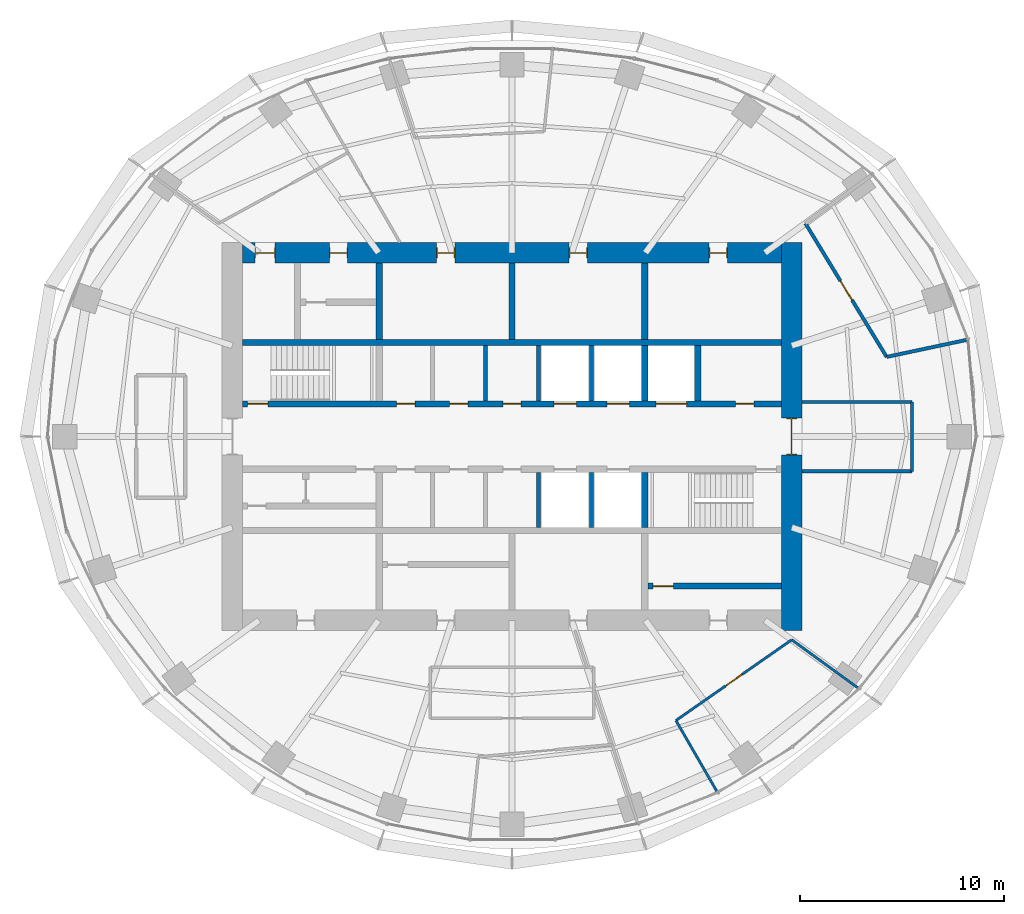
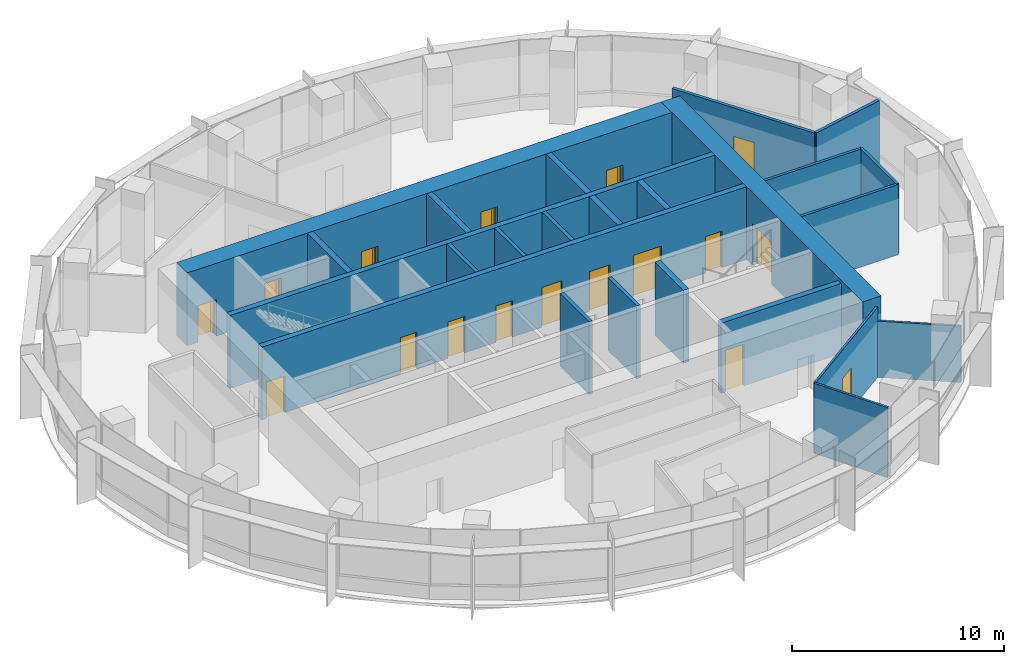
# One storey, part 10 of 13: 24 walls, 17 doors, 17 openings.
"""IFC4 building model written with IfcOpenShell, lengths in metres."""

from ifc_helpers import new_model, si_unit, direction, frame, frame_2d, origin, place, context, subcontext, project, spatial, rectangle, extrude, material, layer, layer_set, type_object, element, fill, save


model = new_model("IFC4")

# Units and contexts
model_context = context("Model", 3, precision=1e-05, world=origin(), true_north=direction((0.0, 1.0)))
body_context = subcontext(model_context, "Body", "Model", "MODEL_VIEW")
ifc_project = project(units=[si_unit("LENGTHUNIT", "METRE"), si_unit("AREAUNIT", "SQUARE_METRE"), si_unit("VOLUMEUNIT", "CUBIC_METRE"), si_unit("PLANEANGLEUNIT", "RADIAN"), si_unit("MASSUNIT", "GRAM", prefix="KILO")], contexts=[model_context])

# Site, building, storey
site_placement = place(None, origin())
site = spatial("IfcSite", under=ifc_project, at=site_placement, CompositionType="ELEMENT")
building_placement = place(site_placement, origin())
building = spatial("IfcBuilding", under=site, at=building_placement, Name="Marramba Exchange Tower", CompositionType="ELEMENT")
storey_placement = place(building_placement, frame((0.0, 0.0, 260.199951171875)))
storey = spatial("IfcBuildingStorey", under=building, at=storey_placement, Name="L63", CompositionType="ELEMENT", Elevation=260.199951171875)

# Wall
ifc_material_1 = material(Name="Plasterboard on staggered double steel studs, acoustic insulation", Category="steel")
ifc_layer_1 = layer(ifc_material_1, 0.169921875)
ifc_layer_set_1 = layer_set([ifc_layer_1], Name="Acoustic partition 170")
wall_type_1 = type_object("IfcWallType", Name="Acoustic partition 170", PredefinedType="PARTITIONING", material=ifc_layer_set_1)
wall_1_placement = place(storey_placement, frame((18.351318359375, 3.900634765625, 0.0), z_axis=(0.0, 0.0, 1.0), x_axis=(0.978140543132, 0.207944891454, 0.0)))
element("IfcWall", 1, at=wall_1_placement, inside=storey, type_object=wall_type_1, Name="Acoustic partition L63 16", PredefinedType="PARTITIONING", context=body_context, shape_type="SweptSolid", body=[
    extrude(rectangle(XDim=4.0, YDim=0.169921875, at=frame_2d((2.0, 0.0))), origin(), (0.0, 0.0, 1.0), 4.0400390625),
])

# Wall, opening, door
wall_2_placement = place(storey_placement, frame((14.37255859375, 10.4423828125, 0.0), z_axis=(0.0, 0.0, 1.0), x_axis=(0.519644460078, -0.854382604639, 0.0)))
wall_2 = element("IfcWall", 2, at=wall_2_placement, inside=storey, type_object=wall_type_1, Name="Acoustic partition L63 17", PredefinedType="PARTITIONING", context=body_context, shape_type="SweptSolid", body=[
    extrude(rectangle(XDim=7.65673828125, YDim=0.169921875, at=frame_2d((3.828369140625, 0.0))), origin(), (0.0, 0.0, 1.0), 4.0400390625),
])
opening_1_placement = place(wall_2_placement, frame((3.302978515625, 0.0, 0.0)))
opening_1 = element("IfcOpeningElement", 3, at=opening_1_placement, cuts=wall_2, Name="Opening D15", PredefinedType="OPENING", context=body_context, shape_type="SweptSolid", body=[
    extrude(rectangle(XDim=1.10009765625, YDim=2.39990234375, at=frame_2d((0.550048828125, 1.199951171875))), frame((0.0, 0.094970703125, 0.0), z_axis=(0.0, -1.0, 0.0), x_axis=(1.0, 0.0, 0.0)), (0.0, 0.0, 1.0), 0.18994140625),
])
ifc_material_2 = material(Name="Timber door", Category="wood")
door_type_1 = type_object("IfcDoorType", Name="Glazed meeting room door 1100x2400", OperationType="SINGLE_SWING_LEFT", PredefinedType="DOOR", material=ifc_material_2)
door_1_placement = place(opening_1_placement, origin())
door_1 = element("IfcDoor", 4, at=door_1_placement, inside=storey, type_object=door_type_1, Name="D15 Boardroom L63", OperationType="SINGLE_SWING_LEFT", OverallHeight=2.39990234375, OverallWidth=1.10009765625, PredefinedType="DOOR", context=body_context, shape_type="SweptSolid", body=[
    extrude(rectangle(XDim=1.10009765625, YDim=2.39990234375, at=frame_2d((0.550048828125, 1.199951171875))), frame((0.0, 0.02490234375, 0.0), z_axis=(0.0, -1.0, 0.0), x_axis=(1.0, 0.0, 0.0)), (0.0, 0.0, 1.0), 0.050048828125),
])
fill(opening_1, door_1)

# Walls
ifc_material_3 = material(Name="Concrete N50", Category="concrete")
ifc_layer_2 = layer(ifc_material_3, 0.199951171875)
ifc_layer_set_2 = layer_set([ifc_layer_2], Name="Core shaft wall 200")
wall_type_2 = type_object("IfcWallType", Name="Core shaft wall 200", PredefinedType="SHEAR", material=ifc_layer_set_2)
for number, where, z_axis, x_axis, name in (
    (5, (-1.300048828125, 1.75, 0.0), (0.0, 0.0, 1.0), (0.0, 1.0, 0.0), "Core wall SHN2 L63"),
    (6, (1.300048828125, 1.75, 0.0), (0.0, 0.0, 1.0), (0.0, 1.0, 0.0), "Core wall SHN3 L63"),
    (7, (3.89990234375, 1.75, 0.0), (0.0, 0.0, 1.0), (0.0, 1.0, 0.0), "Core wall SHN4 L63"),
    (8, (1.300048828125, -1.75, 0.0), (0.0, 0.0, 1.0), (0.0, -1.0, 0.0), "Core wall SHS3 L63"),
    (9, (3.89990234375, -1.75, 0.0), (0.0, 0.0, 1.0), (0.0, -1.0, 0.0), "Core wall SHS4 L63"),
):
    element("IfcWall", number, at=place(storey_placement, frame(where, z_axis=z_axis, x_axis=x_axis)), inside=storey, type_object=wall_type_2, Name=name, PredefinedType="SHEAR", context=body_context, shape_type="SweptSolid", body=[
        extrude(rectangle(XDim=2.699951171875, YDim=0.199951171875, at=frame_2d((1.35009765625, 0.0))), origin(), (0.0, 0.0, 1.0), 4.199951171875),
    ])

# Wall, openings, doors
ifc_layer_3 = layer(ifc_material_3, 1.0)
ifc_layer_set_3 = layer_set([ifc_layer_3], Name="Core wall 1000")
wall_type_3 = type_object("IfcWallType", Name="Core wall 1000", PredefinedType="SHEAR", material=ifc_layer_set_3)
wall_3_placement = place(storey_placement, frame((13.199951171875, 9.0, 0.0), z_axis=(0.0, 0.0, 1.0), x_axis=(-1.0, 0.0, 0.0)))
wall_3 = element("IfcWall", 10, at=wall_3_placement, inside=storey, type_object=wall_type_3, Name="Core wall N L63", PredefinedType="SHEAR", context=body_context, shape_type="SweptSolid", body=[
    extrude(rectangle(XDim=26.39990234375, YDim=1.0, at=frame_2d((13.199951171875, 0.0))), origin(), (0.0, 0.0, 1.0), 4.199951171875),
])
opening_2_placement = place(wall_3_placement, frame((2.64990234375, 0.0, 0.0)))
opening_2 = element("IfcOpeningElement", 11, at=opening_2_placement, cuts=wall_3, Name="Opening D5", PredefinedType="OPENING", context=body_context, shape_type="SweptSolid", body=[
    extrude(rectangle(XDim=0.89990234375, YDim=2.10009765625, at=frame_2d((0.449951171875, 1.050048828125))), frame((0.0, 0.510009765625, 0.0), z_axis=(0.0, -1.0, 0.0), x_axis=(1.0, 0.0, 0.0)), (0.0, 0.0, 1.0), 1.02001953125),
])
opening_3_placement = place(wall_3_placement, frame((9.5, 0.0, 0.0)))
opening_3 = element("IfcOpeningElement", 12, at=opening_3_placement, cuts=wall_3, Name="Opening D3", PredefinedType="OPENING", context=body_context, shape_type="SweptSolid", body=[
    extrude(rectangle(XDim=0.89990234375, YDim=2.10009765625, at=frame_2d((0.449951171875, 1.050048828125))), frame((0.0, 0.510009765625, 0.0), z_axis=(0.0, -1.0, 0.0), x_axis=(1.0, 0.0, 0.0)), (0.0, 0.0, 1.0), 1.02001953125),
])
opening_4_placement = place(wall_3_placement, frame((16.0, 0.0, 0.0)))
opening_4 = element("IfcOpeningElement", 13, at=opening_4_placement, cuts=wall_3, Name="Opening D3", PredefinedType="OPENING", context=body_context, shape_type="SweptSolid", body=[
    extrude(rectangle(XDim=0.89990234375, YDim=2.10009765625, at=frame_2d((0.449951171875, 1.050048828125))), frame((0.0, 0.510009765625, 0.0), z_axis=(0.0, -1.0, 0.0), x_axis=(1.0, 0.0, 0.0)), (0.0, 0.0, 1.0), 1.02001953125),
])
opening_5_placement = place(wall_3_placement, frame((21.25, 0.0, 0.0)))
opening_5 = element("IfcOpeningElement", 14, at=opening_5_placement, cuts=wall_3, Name="Opening D5", PredefinedType="OPENING", context=body_context, shape_type="SweptSolid", body=[
    extrude(rectangle(XDim=0.89990234375, YDim=2.10009765625, at=frame_2d((0.449951171875, 1.050048828125))), frame((0.0, 0.510009765625, 0.0), z_axis=(0.0, -1.0, 0.0), x_axis=(1.0, 0.0, 0.0)), (0.0, 0.0, 1.0), 1.02001953125),
])
opening_6_placement = place(wall_3_placement, frame((24.800048828125, 0.0, 0.0)))
opening_6 = element("IfcOpeningElement", 15, at=opening_6_placement, cuts=wall_3, Name="Opening D4", PredefinedType="OPENING", context=body_context, shape_type="SweptSolid", body=[
    extrude(rectangle(XDim=1.0, YDim=2.10009765625, at=frame_2d((0.5, 1.050048828125))), frame((0.0, 0.510009765625, 0.0), z_axis=(0.0, -1.0, 0.0), x_axis=(1.0, 0.0, 0.0)), (0.0, 0.0, 1.0), 1.02001953125),
])
ifc_material_4 = material(Name="Steel-framed door", Category="steel")
door_type_2 = type_object("IfcDoorType", Name="Accessible toilet door 1000x2100", OperationType="SINGLE_SWING_LEFT", PredefinedType="DOOR", material=ifc_material_4)
door_2_placement = place(opening_6_placement, origin())
door_2 = element("IfcDoor", 16, at=door_2_placement, inside=storey, type_object=door_type_2, Name="D4 awc L63", OperationType="SINGLE_SWING_RIGHT", OverallHeight=2.10009765625, OverallWidth=1.0, PredefinedType="DOOR", context=body_context, shape_type="SweptSolid", body=[
    extrude(rectangle(XDim=0.919921875, YDim=2.06005859375, at=frame_2d((0.5, 1.030029296875))), frame((0.0, 0.02490234375, 0.0), z_axis=(0.0, -1.0, 0.0), x_axis=(1.0, 0.0, 0.0)), (0.0, 0.0, 1.0), 0.050048828125),
    extrude(rectangle(XDim=0.04, YDim=2.10009765625, at=frame_2d((0.02001953125, 1.050048828125))), frame((0.0, 0.25, 0.0), z_axis=(0.0, -1.0, 0.0), x_axis=(1.0, 0.0, 0.0)), (0.0, 0.0, 1.0), 0.5),
    extrude(rectangle(XDim=0.04, YDim=2.10009765625, at=frame_2d((0.97998046875, 1.050048828125))), frame((0.0, 0.25, 0.0), z_axis=(0.0, -1.0, 0.0), x_axis=(1.0, 0.0, 0.0)), (0.0, 0.0, 1.0), 0.5),
    extrude(rectangle(XDim=0.919921875, YDim=0.04, at=frame_2d((0.5, 2.080078125))), frame((0.0, 0.25, 0.0), z_axis=(0.0, -1.0, 0.0), x_axis=(1.0, 0.0, 0.0)), (0.0, 0.0, 1.0), 0.5),
])
fill(opening_6, door_2)
door_type_3 = type_object("IfcDoorType", Name="Service door 900x2100", OperationType="SINGLE_SWING_LEFT", PredefinedType="DOOR", material=ifc_material_4)
door_3_placement = place(opening_2_placement, origin())
door_3 = element("IfcDoor", 17, at=door_3_placement, inside=storey, type_object=door_type_3, Name="D5 comms L63", OperationType="SINGLE_SWING_LEFT", OverallHeight=2.10009765625, OverallWidth=0.89990234375, PredefinedType="DOOR", context=body_context, shape_type="SweptSolid", body=[
    extrude(rectangle(XDim=0.81982421875, YDim=2.06005859375, at=frame_2d((0.449951171875, 1.030029296875))), frame((0.0, 0.02490234375, 0.0), z_axis=(0.0, -1.0, 0.0), x_axis=(1.0, 0.0, 0.0)), (0.0, 0.0, 1.0), 0.050048828125),
    extrude(rectangle(XDim=0.04, YDim=2.10009765625, at=frame_2d((0.02001953125, 1.050048828125))), frame((0.0, 0.25, 0.0), z_axis=(0.0, -1.0, 0.0), x_axis=(1.0, 0.0, 0.0)), (0.0, 0.0, 1.0), 0.5),
    extrude(rectangle(XDim=0.04, YDim=2.10009765625, at=frame_2d((0.8798828125, 1.050048828125))), frame((0.0, 0.25, 0.0), z_axis=(0.0, -1.0, 0.0), x_axis=(1.0, 0.0, 0.0)), (0.0, 0.0, 1.0), 0.5),
    extrude(rectangle(XDim=0.81982421875, YDim=0.04, at=frame_2d((0.449951171875, 2.080078125))), frame((0.0, 0.25, 0.0), z_axis=(0.0, -1.0, 0.0), x_axis=(1.0, 0.0, 0.0)), (0.0, 0.0, 1.0), 0.5),
])
fill(opening_2, door_3)
door_4_placement = place(opening_5_placement, origin())
door_4 = element("IfcDoor", 18, at=door_4_placement, inside=storey, type_object=door_type_3, Name="D5 cleaner L63", OperationType="SINGLE_SWING_RIGHT", OverallHeight=2.10009765625, OverallWidth=0.89990234375, PredefinedType="DOOR", context=body_context, shape_type="SweptSolid", body=[
    extrude(rectangle(XDim=0.81982421875, YDim=2.06005859375, at=frame_2d((0.449951171875, 1.030029296875))), frame((0.0, 0.02490234375, 0.0), z_axis=(0.0, -1.0, 0.0), x_axis=(1.0, 0.0, 0.0)), (0.0, 0.0, 1.0), 0.050048828125),
    extrude(rectangle(XDim=0.04, YDim=2.10009765625, at=frame_2d((0.02001953125, 1.050048828125))), frame((0.0, 0.25, 0.0), z_axis=(0.0, -1.0, 0.0), x_axis=(1.0, 0.0, 0.0)), (0.0, 0.0, 1.0), 0.5),
    extrude(rectangle(XDim=0.04, YDim=2.10009765625, at=frame_2d((0.8798828125, 1.050048828125))), frame((0.0, 0.25, 0.0), z_axis=(0.0, -1.0, 0.0), x_axis=(1.0, 0.0, 0.0)), (0.0, 0.0, 1.0), 0.5),
    extrude(rectangle(XDim=0.81982421875, YDim=0.04, at=frame_2d((0.449951171875, 2.080078125))), frame((0.0, 0.25, 0.0), z_axis=(0.0, -1.0, 0.0), x_axis=(1.0, 0.0, 0.0)), (0.0, 0.0, 1.0), 0.5),
])
fill(opening_5, door_4)
door_type_4 = type_object("IfcDoorType", Name="Toilet door 900x2100", OperationType="SINGLE_SWING_LEFT", PredefinedType="DOOR", material=ifc_material_4)
door_5_placement = place(opening_3_placement, origin())
door_5 = element("IfcDoor", 19, at=door_5_placement, inside=storey, type_object=door_type_4, Name="D3 wc-f L63", OperationType="SINGLE_SWING_RIGHT", OverallHeight=2.10009765625, OverallWidth=0.89990234375, PredefinedType="DOOR", context=body_context, shape_type="SweptSolid", body=[
    extrude(rectangle(XDim=0.81982421875, YDim=2.06005859375, at=frame_2d((0.449951171875, 1.030029296875))), frame((0.0, 0.02490234375, 0.0), z_axis=(0.0, -1.0, 0.0), x_axis=(1.0, 0.0, 0.0)), (0.0, 0.0, 1.0), 0.050048828125),
    extrude(rectangle(XDim=0.04, YDim=2.10009765625, at=frame_2d((0.02001953125, 1.050048828125))), frame((0.0, 0.25, 0.0), z_axis=(0.0, -1.0, 0.0), x_axis=(1.0, 0.0, 0.0)), (0.0, 0.0, 1.0), 0.5),
    extrude(rectangle(XDim=0.04, YDim=2.10009765625, at=frame_2d((0.8798828125, 1.050048828125))), frame((0.0, 0.25, 0.0), z_axis=(0.0, -1.0, 0.0), x_axis=(1.0, 0.0, 0.0)), (0.0, 0.0, 1.0), 0.5),
    extrude(rectangle(XDim=0.81982421875, YDim=0.04, at=frame_2d((0.449951171875, 2.080078125))), frame((0.0, 0.25, 0.0), z_axis=(0.0, -1.0, 0.0), x_axis=(1.0, 0.0, 0.0)), (0.0, 0.0, 1.0), 0.5),
])
fill(opening_3, door_5)
door_6_placement = place(opening_4_placement, origin())
door_6 = element("IfcDoor", 20, at=door_6_placement, inside=storey, type_object=door_type_4, Name="D3 wc-m L63", OperationType="SINGLE_SWING_RIGHT", OverallHeight=2.10009765625, OverallWidth=0.89990234375, PredefinedType="DOOR", context=body_context, shape_type="SweptSolid", body=[
    extrude(rectangle(XDim=0.81982421875, YDim=2.06005859375, at=frame_2d((0.449951171875, 1.030029296875))), frame((0.0, 0.02490234375, 0.0), z_axis=(0.0, -1.0, 0.0), x_axis=(1.0, 0.0, 0.0)), (0.0, 0.0, 1.0), 0.050048828125),
    extrude(rectangle(XDim=0.04, YDim=2.10009765625, at=frame_2d((0.02001953125, 1.050048828125))), frame((0.0, 0.25, 0.0), z_axis=(0.0, -1.0, 0.0), x_axis=(1.0, 0.0, 0.0)), (0.0, 0.0, 1.0), 0.5),
    extrude(rectangle(XDim=0.04, YDim=2.10009765625, at=frame_2d((0.8798828125, 1.050048828125))), frame((0.0, 0.25, 0.0), z_axis=(0.0, -1.0, 0.0), x_axis=(1.0, 0.0, 0.0)), (0.0, 0.0, 1.0), 0.5),
    extrude(rectangle(XDim=0.81982421875, YDim=0.04, at=frame_2d((0.449951171875, 2.080078125))), frame((0.0, 0.25, 0.0), z_axis=(0.0, -1.0, 0.0), x_axis=(1.0, 0.0, 0.0)), (0.0, 0.0, 1.0), 0.5),
])
fill(opening_4, door_6)

# Wall, opening, door
wall_4_placement = place(storey_placement, frame((13.699951171875, -9.5, 0.0), z_axis=(0.0, 0.0, 1.0), x_axis=(0.0, 1.0, 0.0)))
wall_4 = element("IfcWall", 21, at=wall_4_placement, inside=storey, type_object=wall_type_3, Name="Core wall E L63", PredefinedType="SHEAR", context=body_context, shape_type="SweptSolid", body=[
    extrude(rectangle(XDim=19.0, YDim=1.0, at=frame_2d((9.5, 0.0))), origin(), (0.0, 0.0, 1.0), 4.199951171875),
])
opening_7_placement = place(wall_4_placement, frame((8.60009765625, 0.0, 0.0)))
opening_7 = element("IfcOpeningElement", 22, at=opening_7_placement, cuts=wall_4, Name="Opening D1", PredefinedType="OPENING", context=body_context, shape_type="SweptSolid", body=[
    extrude(rectangle(XDim=1.800048828125, YDim=2.39990234375, at=frame_2d((0.89990234375, 1.199951171875))), frame((0.0, 0.510009765625, 0.0), z_axis=(0.0, -1.0, 0.0), x_axis=(1.0, 0.0, 0.0)), (0.0, 0.0, 1.0), 1.02001953125),
])
door_type_5 = type_object("IfcDoorType", Name="Lobby exit door 1800x2400", OperationType="DOUBLE_DOOR_SINGLE_SWING", PredefinedType="DOOR", material=ifc_material_4)
door_7_placement = place(opening_7_placement, frame((1.800048828125, 0.0, 0.0), z_axis=(0.0, 0.0, 1.0), x_axis=(-1.0, 0.0, 0.0)))
door_7 = element("IfcDoor", 23, at=door_7_placement, inside=storey, type_object=door_type_5, Name="D1 lobby exit east L63", OperationType="DOUBLE_DOOR_SINGLE_SWING", OverallHeight=2.39990234375, OverallWidth=1.800048828125, PredefinedType="DOOR", context=body_context, shape_type="SweptSolid", body=[
    extrude(rectangle(XDim=1.719970703125, YDim=2.35986328125, at=frame_2d((0.900146484375, 1.179931640625))), frame((0.0, 0.025146484375, 0.0), z_axis=(0.0, -1.0, 0.0), x_axis=(1.0, 0.0, 0.0)), (0.0, 0.0, 1.0), 0.050048828125),
    extrude(rectangle(XDim=0.04, YDim=2.39990234375, at=frame_2d((1.780029296875, 1.199951171875))), frame((0.0, 0.25, 0.0), z_axis=(0.0, -1.0, 0.0), x_axis=(1.0, 0.0, 0.0)), (0.0, 0.0, 1.0), 0.5),
    extrude(rectangle(XDim=0.04, YDim=2.39990234375, at=frame_2d((0.02001953125, 1.199951171875))), frame((0.0, 0.25, 0.0), z_axis=(0.0, -1.0, 0.0), x_axis=(1.0, 0.0, 0.0)), (0.0, 0.0, 1.0), 0.5),
    extrude(rectangle(XDim=1.719970703125, YDim=0.04, at=frame_2d((0.900146484375, 2.3798828125))), frame((0.0, 0.25, 0.0), z_axis=(0.0, -1.0, 0.0), x_axis=(1.0, 0.0, 0.0)), (0.0, 0.0, 1.0), 0.5),
])
fill(opening_7, door_7)

# Wall, openings, doors
ifc_layer_4 = layer(ifc_material_3, 0.300048828125)
ifc_layer_set_4 = layer_set([ifc_layer_4], Name="Core wall 300")
wall_type_4 = type_object("IfcWallType", Name="Core wall 300", PredefinedType="SHEAR", material=ifc_layer_set_4)
wall_5_placement = place(storey_placement, frame((-13.199951171875, 1.60009765625, 0.0), z_axis=(0.0, 0.0, 1.0), x_axis=(1.0, 0.0, 0.0)))
wall_5 = element("IfcWall", 24, at=wall_5_placement, inside=storey, type_object=wall_type_4, Name="Core wall LN L63", PredefinedType="SHEAR", context=body_context, shape_type="SweptSolid", body=[
    extrude(rectangle(XDim=26.39990234375, YDim=0.300048828125, at=frame_2d((13.199951171875, 0.0))), origin(), (0.0, 0.0, 1.0), 4.199951171875),
])
opening_8_placement = place(wall_5_placement, frame((0.25, 0.0, 0.0)))
opening_8 = element("IfcOpeningElement", 25, at=opening_8_placement, cuts=wall_5, Name="Opening D2", PredefinedType="OPENING", context=body_context, shape_type="SweptSolid", body=[
    extrude(rectangle(XDim=1.0, YDim=2.10009765625, at=frame_2d((0.5, 1.050048828125))), frame((0.0, 0.159912109375, 0.0), z_axis=(0.0, -1.0, 0.0), x_axis=(1.0, 0.0, 0.0)), (0.0, 0.0, 1.0), 0.320068359375),
])
opening_9_placement = place(wall_5_placement, frame((20.25, 0.0, 0.0)))
opening_9 = element("IfcOpeningElement", 26, at=opening_9_placement, cuts=wall_5, Name="Opening LD3", PredefinedType="OPENING", context=body_context, shape_type="SweptSolid", body=[
    extrude(rectangle(XDim=1.5, YDim=2.39990234375, at=frame_2d((0.75, 1.199951171875))), frame((0.0, 0.159912109375, 0.0), z_axis=(0.0, -1.0, 0.0), x_axis=(1.0, 0.0, 0.0)), (0.0, 0.0, 1.0), 0.320068359375),
])
opening_10_placement = place(wall_5_placement, frame((7.550048828125, 0.0, 0.0)))
opening_10 = element("IfcOpeningElement", 27, at=opening_10_placement, cuts=wall_5, Name="Opening D5", PredefinedType="OPENING", context=body_context, shape_type="SweptSolid", body=[
    extrude(rectangle(XDim=0.89990234375, YDim=2.10009765625, at=frame_2d((0.449951171875, 1.050048828125))), frame((0.0, 0.159912109375, 0.0), z_axis=(0.0, -1.0, 0.0), x_axis=(1.0, 0.0, 0.0)), (0.0, 0.0, 1.0), 0.320068359375),
])
opening_11_placement = place(wall_5_placement, frame((10.14990234375, 0.0, 0.0)))
opening_11 = element("IfcOpeningElement", 28, at=opening_11_placement, cuts=wall_5, Name="Opening D5", PredefinedType="OPENING", context=body_context, shape_type="SweptSolid", body=[
    extrude(rectangle(XDim=0.89990234375, YDim=2.10009765625, at=frame_2d((0.449951171875, 1.050048828125))), frame((0.0, 0.159912109375, 0.0), z_axis=(0.0, -1.0, 0.0), x_axis=(1.0, 0.0, 0.0)), (0.0, 0.0, 1.0), 0.320068359375),
])
opening_12_placement = place(wall_5_placement, frame((12.75, 0.0, 0.0)))
opening_12 = element("IfcOpeningElement", 29, at=opening_12_placement, cuts=wall_5, Name="Opening D5", PredefinedType="OPENING", context=body_context, shape_type="SweptSolid", body=[
    extrude(rectangle(XDim=0.89990234375, YDim=2.10009765625, at=frame_2d((0.449951171875, 1.050048828125))), frame((0.0, 0.159912109375, 0.0), z_axis=(0.0, -1.0, 0.0), x_axis=(1.0, 0.0, 0.0)), (0.0, 0.0, 1.0), 0.320068359375),
])
opening_13_placement = place(wall_5_placement, frame((15.25, 0.0, 0.0)))
opening_13 = element("IfcOpeningElement", 30, at=opening_13_placement, cuts=wall_5, Name="Opening LD1", PredefinedType="OPENING", context=body_context, shape_type="SweptSolid", body=[
    extrude(rectangle(XDim=1.10009765625, YDim=2.300048828125, at=frame_2d((0.550048828125, 1.14990234375))), frame((0.0, 0.159912109375, 0.0), z_axis=(0.0, -1.0, 0.0), x_axis=(1.0, 0.0, 0.0)), (0.0, 0.0, 1.0), 0.320068359375),
])
opening_14_placement = place(wall_5_placement, frame((17.85009765625, 0.0, 0.0)))
opening_14 = element("IfcOpeningElement", 31, at=opening_14_placement, cuts=wall_5, Name="Opening LD1", PredefinedType="OPENING", context=body_context, shape_type="SweptSolid", body=[
    extrude(rectangle(XDim=1.10009765625, YDim=2.300048828125, at=frame_2d((0.550048828125, 1.14990234375))), frame((0.0, 0.159912109375, 0.0), z_axis=(0.0, -1.0, 0.0), x_axis=(1.0, 0.0, 0.0)), (0.0, 0.0, 1.0), 0.320068359375),
])
opening_15_placement = place(wall_5_placement, frame((24.14990234375, 0.0, 0.0)))
opening_15 = element("IfcOpeningElement", 32, at=opening_15_placement, cuts=wall_5, Name="Opening D5", PredefinedType="OPENING", context=body_context, shape_type="SweptSolid", body=[
    extrude(rectangle(XDim=0.89990234375, YDim=2.10009765625, at=frame_2d((0.449951171875, 1.050048828125))), frame((0.0, 0.159912109375, 0.0), z_axis=(0.0, -1.0, 0.0), x_axis=(1.0, 0.0, 0.0)), (0.0, 0.0, 1.0), 0.320068359375),
])
door_type_6 = type_object("IfcDoorType", Name="Goods lift landing door 1500x2400", OperationType="SLIDING_TO_LEFT", PredefinedType="DOOR", material=ifc_material_4)
door_8_placement = place(opening_9_placement, origin())
door_8 = element("IfcDoor", 33, at=door_8_placement, inside=storey, type_object=door_type_6, Name="GL1 landing door L63", OperationType="SLIDING_TO_RIGHT", OverallHeight=2.39990234375, OverallWidth=1.5, PredefinedType="DOOR", context=body_context, shape_type="SweptSolid", body=[
    extrude(rectangle(XDim=1.5, YDim=2.39990234375, at=frame_2d((0.75, 1.199951171875))), frame((0.0, 0.02490234375, 0.0), z_axis=(0.0, -1.0, 0.0), x_axis=(1.0, 0.0, 0.0)), (0.0, 0.0, 1.0), 0.050048828125),
])
fill(opening_9, door_8)
door_type_7 = type_object("IfcDoorType", Name="Lift landing door 1100x2300", OperationType="SLIDING_TO_LEFT", PredefinedType="DOOR", material=ifc_material_4)
door_9_placement = place(opening_13_placement, origin())
door_9 = element("IfcDoor", 34, at=door_9_placement, inside=storey, type_object=door_type_7, Name="LD1 landing door L63", OperationType="SLIDING_TO_LEFT", OverallHeight=2.300048828125, OverallWidth=1.10009765625, PredefinedType="DOOR", context=body_context, shape_type="SweptSolid", body=[
    extrude(rectangle(XDim=1.10009765625, YDim=2.300048828125, at=frame_2d((0.550048828125, 1.14990234375))), frame((0.0, 0.02490234375, 0.0), z_axis=(0.0, -1.0, 0.0), x_axis=(1.0, 0.0, 0.0)), (0.0, 0.0, 1.0), 0.050048828125),
])
fill(opening_13, door_9)
door_10_placement = place(opening_14_placement, origin())
door_10 = element("IfcDoor", 35, at=door_10_placement, inside=storey, type_object=door_type_7, Name="LD2 landing door L63", OperationType="SLIDING_TO_LEFT", OverallHeight=2.300048828125, OverallWidth=1.10009765625, PredefinedType="DOOR", context=body_context, shape_type="SweptSolid", body=[
    extrude(rectangle(XDim=1.10009765625, YDim=2.300048828125, at=frame_2d((0.550048828125, 1.14990234375))), frame((0.0, 0.02490234375, 0.0), z_axis=(0.0, -1.0, 0.0), x_axis=(1.0, 0.0, 0.0)), (0.0, 0.0, 1.0), 0.050048828125),
])
fill(opening_14, door_10)
door_11_placement = place(opening_10_placement, origin())
door_11 = element("IfcDoor", 36, at=door_11_placement, inside=storey, type_object=door_type_3, Name="D5 parcel room L63", OperationType="SINGLE_SWING_RIGHT", OverallHeight=2.10009765625, OverallWidth=0.89990234375, PredefinedType="DOOR", context=body_context, shape_type="SweptSolid", body=[
    extrude(rectangle(XDim=0.89990234375, YDim=2.10009765625, at=frame_2d((0.449951171875, 1.050048828125))), frame((0.0, 0.02490234375, 0.0), z_axis=(0.0, -1.0, 0.0), x_axis=(1.0, 0.0, 0.0)), (0.0, 0.0, 1.0), 0.050048828125),
])
fill(opening_10, door_11)
door_12_placement = place(opening_11_placement, origin())
door_12 = element("IfcDoor", 37, at=door_12_placement, inside=storey, type_object=door_type_3, Name="D5 stationery store L63", OperationType="SINGLE_SWING_RIGHT", OverallHeight=2.10009765625, OverallWidth=0.89990234375, PredefinedType="DOOR", context=body_context, shape_type="SweptSolid", body=[
    extrude(rectangle(XDim=0.89990234375, YDim=2.10009765625, at=frame_2d((0.449951171875, 1.050048828125))), frame((0.0, 0.02490234375, 0.0), z_axis=(0.0, -1.0, 0.0), x_axis=(1.0, 0.0, 0.0)), (0.0, 0.0, 1.0), 0.050048828125),
])
fill(opening_11, door_12)
door_13_placement = place(opening_12_placement, origin())
door_13 = element("IfcDoor", 38, at=door_13_placement, inside=storey, type_object=door_type_3, Name="D5 switch room L63", OperationType="SINGLE_SWING_RIGHT", OverallHeight=2.10009765625, OverallWidth=0.89990234375, PredefinedType="DOOR", context=body_context, shape_type="SweptSolid", body=[
    extrude(rectangle(XDim=0.89990234375, YDim=2.10009765625, at=frame_2d((0.449951171875, 1.050048828125))), frame((0.0, 0.02490234375, 0.0), z_axis=(0.0, -1.0, 0.0), x_axis=(1.0, 0.0, 0.0)), (0.0, 0.0, 1.0), 0.050048828125),
])
fill(opening_12, door_13)
door_14_placement = place(opening_15_placement, origin())
door_14 = element("IfcDoor", 39, at=door_14_placement, inside=storey, type_object=door_type_3, Name="D5 riser L63", OperationType="SINGLE_SWING_RIGHT", OverallHeight=2.10009765625, OverallWidth=0.89990234375, PredefinedType="DOOR", context=body_context, shape_type="SweptSolid", body=[
    extrude(rectangle(XDim=0.89990234375, YDim=2.10009765625, at=frame_2d((0.449951171875, 1.050048828125))), frame((0.0, 0.02490234375, 0.0), z_axis=(0.0, -1.0, 0.0), x_axis=(1.0, 0.0, 0.0)), (0.0, 0.0, 1.0), 0.050048828125),
])
fill(opening_15, door_14)
door_type_8 = type_object("IfcDoorType", Name="Stair door 1000x2100", OperationType="SINGLE_SWING_LEFT", PredefinedType="DOOR", material=ifc_material_4)
door_15_placement = place(opening_8_placement, origin())
door_15 = element("IfcDoor", 40, at=door_15_placement, inside=storey, type_object=door_type_8, Name="D2 stair ST1 L63", OperationType="SINGLE_SWING_LEFT", OverallHeight=2.10009765625, OverallWidth=1.0, PredefinedType="DOOR", context=body_context, shape_type="SweptSolid", body=[
    extrude(rectangle(XDim=1.0, YDim=2.10009765625, at=frame_2d((0.5, 1.050048828125))), frame((0.0, 0.02490234375, 0.0), z_axis=(0.0, -1.0, 0.0), x_axis=(1.0, 0.0, 0.0)), (0.0, 0.0, 1.0), 0.050048828125),
])
fill(opening_8, door_15)

# Walls
wall_6_placement = place(storey_placement, frame((-13.199951171875, 4.60009765625, 0.0), z_axis=(0.0, 0.0, 1.0), x_axis=(1.0, 0.0, 0.0)))
element("IfcWall", 41, at=wall_6_placement, inside=storey, type_object=wall_type_4, Name="Core wall BN L63", PredefinedType="SHEAR", context=body_context, shape_type="SweptSolid", body=[
    extrude(rectangle(XDim=26.39990234375, YDim=0.300048828125, at=frame_2d((13.199951171875, 0.0))), origin(), (0.0, 0.0, 1.0), 4.199951171875),
])
wall_7_placement = place(storey_placement, frame((-6.5, 4.75, 0.0), z_axis=(0.0, 0.0, 1.0), x_axis=(0.0, 1.0, 0.0)))
element("IfcWall", 42, at=wall_7_placement, inside=storey, type_object=wall_type_4, Name="Core wall X0Nb L63", PredefinedType="SHEAR", context=body_context, shape_type="SweptSolid", body=[
    extrude(rectangle(XDim=3.75, YDim=0.300048828125, at=frame_2d((1.875, 0.0))), origin(), (0.0, 0.0, 1.0), 4.199951171875),
])
wall_8_placement = place(storey_placement, frame((6.5, 1.75, 0.0), z_axis=(0.0, 0.0, 1.0), x_axis=(0.0, 1.0, 0.0)))
element("IfcWall", 43, at=wall_8_placement, inside=storey, type_object=wall_type_4, Name="Core wall X1Na L63", PredefinedType="SHEAR", context=body_context, shape_type="SweptSolid", body=[
    extrude(rectangle(XDim=2.699951171875, YDim=0.300048828125, at=frame_2d((1.35009765625, 0.0))), origin(), (0.0, 0.0, 1.0), 4.199951171875),
])
for number, where, z_axis, x_axis, name in (
    (44, (6.5, 4.75, 0.0), (0.0, 0.0, 1.0), (0.0, 1.0, 0.0), "Core wall X1Nb L63"),
    (45, (0.0, 4.75, 0.0), (0.0, 0.0, 1.0), (0.0, 1.0, 0.0), "Core wall MN L63"),
):
    element("IfcWall", number, at=place(storey_placement, frame(where, z_axis=z_axis, x_axis=x_axis)), inside=storey, type_object=wall_type_4, Name=name, PredefinedType="SHEAR", context=body_context, shape_type="SweptSolid", body=[
        extrude(rectangle(XDim=3.75, YDim=0.300048828125, at=frame_2d((1.875, 0.0))), origin(), (0.0, 0.0, 1.0), 4.199951171875),
    ])
for number, where, z_axis, x_axis, name in (
    (46, (6.5, -1.75, 0.0), (0.0, 0.0, 1.0), (0.0, -1.0, 0.0), "Core wall X1Sa L63"),
    (47, (9.10009765625, 1.75, 0.0), (0.0, 0.0, 1.0), (0.0, 1.0, 0.0), "Core wall ED L63"),
):
    element("IfcWall", number, at=place(storey_placement, frame(where, z_axis=z_axis, x_axis=x_axis)), inside=storey, type_object=wall_type_4, Name=name, PredefinedType="SHEAR", context=body_context, shape_type="SweptSolid", body=[
        extrude(rectangle(XDim=2.699951171875, YDim=0.300048828125, at=frame_2d((1.35009765625, 0.0))), origin(), (0.0, 0.0, 1.0), 4.199951171875),
    ])
ifc_material_5 = material(Name="Plasterboard on steel studs", Category="steel")
ifc_layer_5 = layer(ifc_material_5, 0.1201171875)
ifc_layer_set_5 = layer_set([ifc_layer_5], Name="Partition 120")
wall_type_5 = type_object("IfcWallType", Name="Partition 120", PredefinedType="PARTITIONING", material=ifc_layer_set_5)
wall_9_placement = place(storey_placement, frame((8.030517578125, -13.909423828125, 0.0), z_axis=(0.0, 0.0, 1.0), x_axis=(0.49999894854, -0.866026010844, 0.0)))
element("IfcWall", 48, at=wall_9_placement, inside=storey, type_object=wall_type_5, Name="Partition L63 10", PredefinedType="PARTITIONING", context=body_context, shape_type="SweptSolid", body=[
    extrude(rectangle(XDim=4.0, YDim=0.1201171875, at=frame_2d((2.0, 0.0))), origin(), (0.0, 0.0, 1.0), 4.0400390625),
])

# Wall, opening, door
wall_10_placement = place(storey_placement, frame((13.7021484375, -9.955322265625, 0.0), z_axis=(0.0, 0.0, 1.0), x_axis=(-0.820320356129, -0.571904286852, 0.0)))
wall_10 = element("IfcWall", 49, at=wall_10_placement, inside=storey, type_object=wall_type_5, Name="Partition L63 11", PredefinedType="PARTITIONING", context=body_context, shape_type="SweptSolid", body=[
    extrude(rectangle(XDim=6.913818359375, YDim=0.1201171875, at=frame_2d((3.45703125, 0.0))), origin(), (0.0, 0.0, 1.0), 4.0400390625),
])
opening_16_placement = place(wall_10_placement, frame((2.95703125, 0.0, 0.0)))
opening_16 = element("IfcOpeningElement", 50, at=opening_16_placement, cuts=wall_10, Name="Opening D9", PredefinedType="OPENING", context=body_context, shape_type="SweptSolid", body=[
    extrude(rectangle(XDim=1.0, YDim=2.39990234375, at=frame_2d((0.5, 1.199951171875))), frame((0.0, 0.070068359375, 0.0), z_axis=(0.0, -1.0, 0.0), x_axis=(1.0, 0.0, 0.0)), (0.0, 0.0, 1.0), 0.14013671875),
])
door_type_9 = type_object("IfcDoorType", Name="Room door 1000x2400", OperationType="SINGLE_SWING_LEFT", PredefinedType="DOOR", material=ifc_material_2)
door_16_placement = place(opening_16_placement, origin())
door_16 = element("IfcDoor", 51, at=door_16_placement, inside=storey, type_object=door_type_9, Name="D9 Executive Office 4 L63", OperationType="SINGLE_SWING_RIGHT", OverallHeight=2.39990234375, OverallWidth=1.0, PredefinedType="DOOR", context=body_context, shape_type="SweptSolid", body=[
    extrude(rectangle(XDim=1.0, YDim=2.39990234375, at=frame_2d((0.5, 1.199951171875))), frame((0.0, 0.02490234375, 0.0), z_axis=(0.0, -1.0, 0.0), x_axis=(1.0, 0.0, 0.0)), (0.0, 0.0, 1.0), 0.050048828125),
])
fill(opening_16, door_16)

# Wall
wall_11_placement = place(storey_placement, frame((16.938232421875, -12.306396484375, 0.0), z_axis=(0.0, 0.0, 1.0), x_axis=(-0.809026317077, 0.587772420479, 0.0)))
element("IfcWall", 52, at=wall_11_placement, inside=storey, type_object=wall_type_5, Name="Partition L63 12", PredefinedType="PARTITIONING", context=body_context, shape_type="SweptSolid", body=[
    extrude(rectangle(XDim=4.0, YDim=0.1201171875, at=frame_2d((2.0, 0.0))), origin(), (0.0, 0.0, 1.0), 3.239990234375),
])

# Wall, opening, door
ifc_material_6 = material(Name="Plasterboard on steel studs, insulated, unrated", Category="steel")
ifc_layer_6 = layer(ifc_material_6, 0.300048828125)
ifc_layer_set_6 = layer_set([ifc_layer_6], Name="Store partition 300")
wall_type_6 = type_object("IfcWallType", Name="Store partition 300", PredefinedType="PARTITIONING", material=ifc_layer_set_6)
wall_12_placement = place(storey_placement, frame((6.64990234375, -7.327880859375, 0.0), z_axis=(0.0, 0.0, 1.0), x_axis=(1.0, 0.0, 0.0)))
wall_12 = element("IfcWall", 53, at=wall_12_placement, inside=storey, type_object=wall_type_6, Name="Store partition L63 cstore", PredefinedType="PARTITIONING", context=body_context, shape_type="SweptSolid", body=[
    extrude(rectangle(XDim=6.550048828125, YDim=0.300048828125, at=frame_2d((3.27490234375, 0.0))), origin(), (0.0, 0.0, 1.0), 4.0400390625),
])
opening_17_placement = place(wall_12_placement, frame((0.25, 0.0, 0.0)))
opening_17 = element("IfcOpeningElement", 54, at=opening_17_placement, cuts=wall_12, Name="Opening D9", PredefinedType="OPENING", context=body_context, shape_type="SweptSolid", body=[
    extrude(rectangle(XDim=1.0, YDim=2.39990234375, at=frame_2d((0.5, 1.199951171875))), frame((0.0, 0.159912109375, 0.0), z_axis=(0.0, -1.0, 0.0), x_axis=(1.0, 0.0, 0.0)), (0.0, 0.0, 1.0), 0.320068359375),
])
door_17_placement = place(opening_17_placement, frame((1.0, 0.0, 0.0), z_axis=(0.0, 0.0, 1.0), x_axis=(-1.0, 0.0, 0.0)))
door_17 = element("IfcDoor", 55, at=door_17_placement, inside=storey, type_object=door_type_9, Name="D9 general store L63", OperationType="SINGLE_SWING_RIGHT", OverallHeight=2.39990234375, OverallWidth=1.0, PredefinedType="DOOR", context=body_context, shape_type="SweptSolid", body=[
    extrude(rectangle(XDim=1.0, YDim=2.39990234375, at=frame_2d((0.5, 1.199951171875))), frame((0.0, 0.025146484375, 0.0), z_axis=(0.0, -1.0, 0.0), x_axis=(1.0, 0.0, 0.0)), (0.0, 0.0, 1.0), 0.050048828125),
])
fill(opening_17, door_17)

# Walls
ifc_material_7 = material(Name="Fire-rated plasterboard on steel studs, acoustic insulation", Category="steel")
ifc_layer_7 = layer(ifc_material_7, 0.14990234375)
ifc_layer_set_7 = layer_set([ifc_layer_7], Name="Tenancy wall 150")
wall_type_7 = type_object("IfcWallType", Name="Tenancy wall 150", PredefinedType="PARTITIONING", material=ifc_layer_set_7)
wall_13_placement = place(storey_placement, frame((14.199951171875, -1.699951171875, 0.0), z_axis=(0.0, 0.0, 1.0), x_axis=(1.0, 0.0, 0.0)))
element("IfcWall", 56, at=wall_13_placement, inside=storey, type_object=wall_type_7, Name="Tenancy wall L63 13", PredefinedType="PARTITIONING", context=body_context, shape_type="SweptSolid", body=[
    extrude(rectangle(XDim=5.400146484375, YDim=0.14990234375, at=frame_2d((2.7001953125, 0.0))), origin(), (0.0, 0.0, 1.0), 4.0400390625),
])
wall_14_placement = place(storey_placement, frame((19.60009765625, -1.699951171875, 0.0), z_axis=(0.0, 0.0, 1.0), x_axis=(0.0, 1.0, 0.0)))
element("IfcWall", 57, at=wall_14_placement, inside=storey, type_object=wall_type_7, Name="Tenancy wall L63 14", PredefinedType="PARTITIONING", context=body_context, shape_type="SweptSolid", body=[
    extrude(rectangle(XDim=3.39990234375, YDim=0.14990234375, at=frame_2d((1.699951171875, 0.0))), origin(), (0.0, 0.0, 1.0), 4.0400390625),
])
wall_15_placement = place(storey_placement, frame((19.60009765625, 1.699951171875, 0.0), z_axis=(0.0, 0.0, 1.0), x_axis=(-1.0, 0.0, 0.0)))
element("IfcWall", 58, at=wall_15_placement, inside=storey, type_object=wall_type_7, Name="Tenancy wall L63 15", PredefinedType="PARTITIONING", context=body_context, shape_type="SweptSolid", body=[
    extrude(rectangle(XDim=5.400146484375, YDim=0.14990234375, at=frame_2d((2.7001953125, 0.0))), origin(), (0.0, 0.0, 1.0), 4.0400390625),
])

save(model, "model.ifc")
